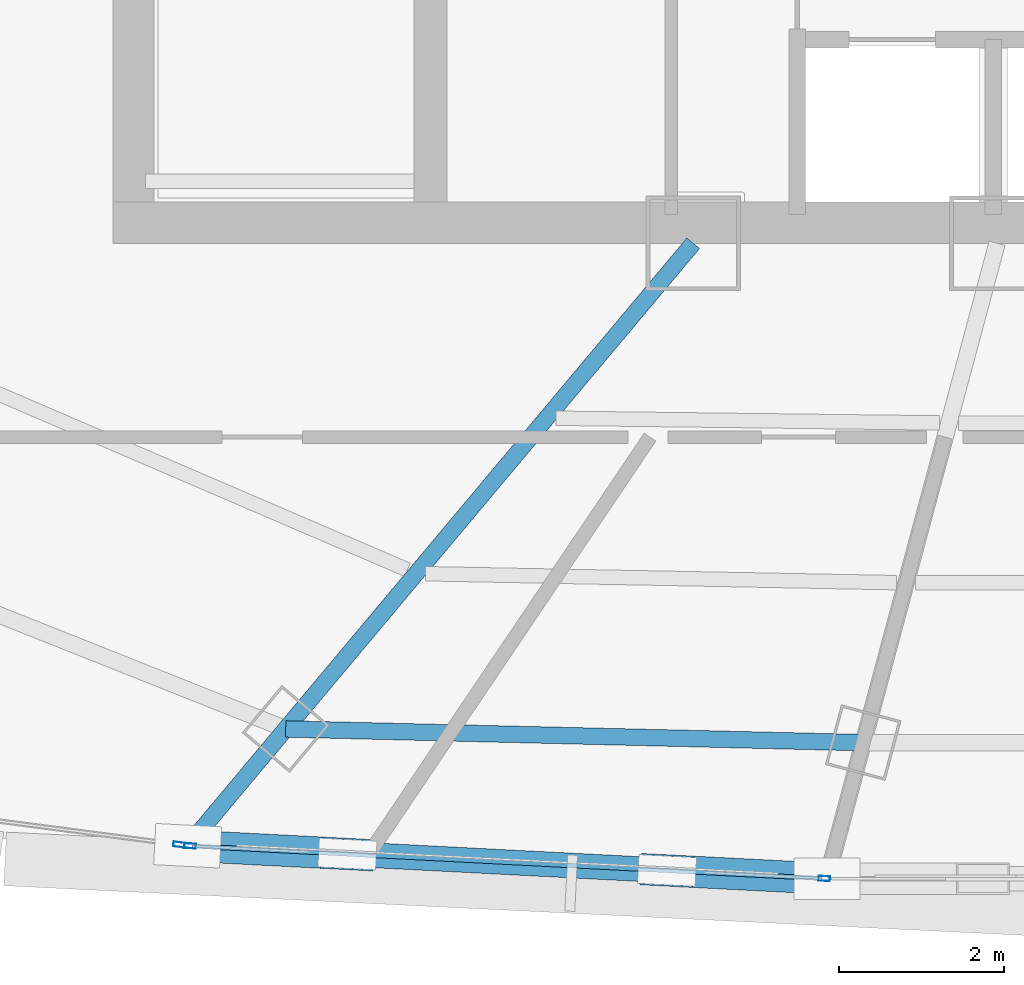
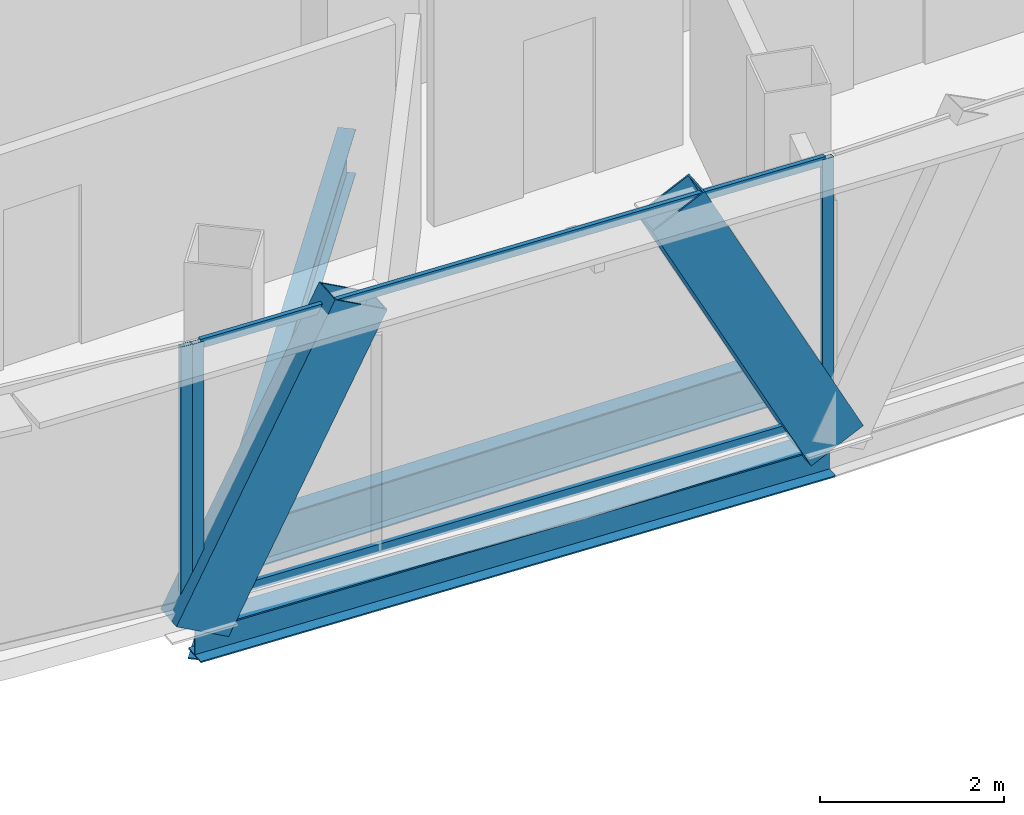
# One storey, part 6 of 35: 7 members, 3 beams, 2 elements without a shape of their own.
"""IFC4 building model written with IfcOpenShell, lengths in metres."""

from ifc_helpers import new_model, si_unit, direction, frame, origin, origin_2d, place, context, subcontext, project, spatial, hollow_rectangle, i_section, extrude, source, transform, mapped, material, layer, layer_set, material_profile, profile_set, type_object, element, aggregate, save


model = new_model("IFC4")

# Units and contexts
model_context = context("Model", 3, precision=1e-05, world=origin(), true_north=direction((0.0, 1.0)))
body_context = subcontext(model_context, "Body", "Model", "MODEL_VIEW")
ifc_project = project(units=[si_unit("LENGTHUNIT", "METRE"), si_unit("AREAUNIT", "SQUARE_METRE"), si_unit("VOLUMEUNIT", "CUBIC_METRE"), si_unit("PLANEANGLEUNIT", "RADIAN"), si_unit("MASSUNIT", "GRAM", prefix="KILO"), si_unit("THERMODYNAMICTEMPERATUREUNIT", "KELVIN"), si_unit("POWERUNIT", "WATT")], contexts=[model_context])

# Site, building, storey
site_placement = place(None, origin())
site = spatial("IfcSite", under=ifc_project, at=site_placement, CompositionType="ELEMENT")
building_placement = place(site_placement, origin())
building = spatial("IfcBuilding", under=site, at=building_placement, Name="Yunzhuo Pagoda Commons", CompositionType="ELEMENT")
storey_placement = place(building_placement, frame((0.0, 0.0, 303.669921875)))
storey = spatial("IfcBuildingStorey", under=building, at=storey_placement, Name="L76", CompositionType="ELEMENT", Elevation=303.669921875)

# Beams
ifc_material_1 = material(Name="Structural steel Q355B", Category="steel")
ifc_material_profile_1 = material_profile(ifc_material_1, i_section(OverallWidth=0.199951171875, OverallDepth=0.60009765625, WebThickness=0.010986328125, FlangeThickness=0.01708984375, at=origin_2d()), Name="Structural steel Q355B")
ifc_profile_set_1 = profile_set([ifc_material_profile_1], Name="Structural steel Q355B")
beam_type_1 = type_object("IfcBeamType", Name="B-RG3 Beam HN 600x200x11x17", PredefinedType="BEAM", material=ifc_profile_set_1)
shared_shape_1 = source(origin(), body_context, "Body", "SweptSolid", [
    extrude(i_section(OverallWidth=0.199951171875, OverallDepth=0.60009765625, WebThickness=0.010986328125, FlangeThickness=0.01708984375, at=origin_2d()), origin(), (0.0, 0.0, 1.0), 7.00439453125),
])
beam_1_placement = place(storey_placement, frame((37.64697265625, 21.361572265625, -0.559814453125), z_axis=(0.999719077883, -0.023701588905, 0.0), x_axis=(0.023701588905, 0.999719077883, 0.0)))
element("IfcBeam", 1, at=beam_1_placement, inside=storey, type_object=beam_type_1, Name="L76 column-ring beam 1", PredefinedType="BEAM", context=body_context, shape_type="MappedRepresentation", body=[
    mapped(shared_shape_1, transform((0.0, 0.0, 0.0), scale=1.0)),
])
shared_shape_2 = source(origin(), body_context, "Body", "SweptSolid", [
    extrude(i_section(OverallWidth=0.199951171875, OverallDepth=0.60009765625, WebThickness=0.010986328125, FlangeThickness=0.01708984375, at=origin_2d()), origin(), (0.0, 0.0, 1.0), 9.38037109375),
])
beam_2_placement = place(storey_placement, frame((36.558349609375, 20.064208984375, -0.559814453125), z_axis=(0.64278425807, 0.766047255447, 0.0), x_axis=(-0.766047255447, 0.64278425807, 0.0)))
element("IfcBeam", 2, at=beam_2_placement, inside=storey, type_object=beam_type_1, Name="L76 radial floor girder F1C1", PredefinedType="BEAM", context=body_context, shape_type="MappedRepresentation", body=[
    mapped(shared_shape_2, transform((0.0, 0.0, 0.0), scale=1.0)),
])
ifc_material_profile_2 = material_profile(ifc_material_1, i_section(OverallWidth=0.300048828125, OverallDepth=0.43994140625, WebThickness=0.010986328125, FlangeThickness=0.01806640625, at=origin_2d()), Name="Structural steel Q355B")
ifc_profile_set_2 = profile_set([ifc_material_profile_2], Name="Structural steel Q355B")
beam_type_2 = type_object("IfcBeamType", Name="B-SP2 Beam HM 440x300x11x18", PredefinedType="BEAM", material=ifc_profile_set_2)
shared_shape_3 = source(origin(), body_context, "Body", "SweptSolid", [
    extrude(i_section(OverallWidth=0.300048828125, OverallDepth=0.43994140625, WebThickness=0.010986328125, FlangeThickness=0.01806640625, at=origin_2d()), origin(), (0.0, 0.0, 1.0), 7.759521484375),
])
beam_3_placement = place(storey_placement, frame((36.45849609375, 19.945556640625, -0.47998046875), z_axis=(0.998672725225, -0.05150522199, 0.0), x_axis=(0.05150522199, 0.998672725225, 0.0)))
element("IfcBeam", 3, at=beam_3_placement, inside=storey, type_object=beam_type_2, Name="L76 facade edge spandrel beam F1.1", PredefinedType="BEAM", context=body_context, shape_type="MappedRepresentation", body=[
    mapped(shared_shape_3, transform((0.0, 0.0, 0.0), scale=1.0)),
])

# Members
ifc_material_profile_3 = material_profile(ifc_material_1, hollow_rectangle(XDim=0.3798828125, YDim=0.719970703125, WallThickness=0.02001953125, at=origin_2d()), Name="Structural steel Q355B")
ifc_profile_set_3 = profile_set([ifc_material_profile_3], Name="Structural steel Q355B")
member_type_1 = type_object("IfcMemberType", Name="M-DL3 Brace BOX 720x380x20", PredefinedType="BRACE", material=ifc_profile_set_3)
shared_shape_4 = source(origin(), body_context, "Body", "SweptSolid", [
    extrude(hollow_rectangle(XDim=0.3798828125, YDim=0.719970703125, WallThickness=0.02001953125, at=origin_2d()), origin(), (0.0, 0.0, 1.0), 4.204345703125),
])
for number, where, z_axis, x_axis, name in (
    (4, (36.45849609375, 19.945556640625, -0.260009765625), (0.460784915353, -0.023808672375, 0.887192430594), (0.051600981801, 0.998667781936, 0.0), "L76 facade diamond brace F1.1L"),
    (5, (44.207763671875, 19.5458984375, -0.260009765625), (-0.460831290203, 0.023749999709, 0.887169915791), (-0.051468990499, -0.998674593157, 0.0), "L76 facade diamond brace F1.1R"),
):
    element("IfcMember", number, at=place(storey_placement, frame(where, z_axis=z_axis, x_axis=x_axis)), inside=storey, type_object=member_type_1, Name=name, PredefinedType="BRACE", context=body_context, shape_type="MappedRepresentation", body=[
        mapped(shared_shape_4, transform((0.0, 0.0, 0.0), scale=1.0)),
    ])

# Curtain wall, members
ifc_material_2 = material(Name="Anodized aluminium 6063-T6", Category="aluminium")
ifc_layer = layer(ifc_material_2, 0.139892578125)
ifc_layer_set = layer_set([ifc_layer], Name="Anodized aluminium 6063-T6")
curtain_wall_type = type_object("IfcCurtainWallType", Name="CW-HI High-Zone Ribbon Curtain Wall", PredefinedType="NOTDEFINED", material=ifc_layer_set)
curtain_wall_1_placement = place(storey_placement, origin())
curtain_wall_1 = element("IfcCurtainWall", 6, at=curtain_wall_1_placement, inside=storey, type_object=curtain_wall_type, Name="L76 curtain wall CW-L76-F1B2", PredefinedType="NOTDEFINED")
ifc_material_profile_4 = material_profile(ifc_material_2, hollow_rectangle(XDim=0.06005859375, YDim=0.139892578125, WallThickness=0.00341796875, at=origin_2d()), Name="Anodized aluminium 6063-T6")
ifc_profile_set_4 = profile_set([ifc_material_profile_4], Name="Anodized aluminium 6063-T6")
member_type_2 = type_object("IfcMemberType", Name="CW-HI-M Mullion RHS 140x60x3.5", PredefinedType="MULLION", material=ifc_profile_set_4)
shared_shape_5 = source(origin(), body_context, "Body", "SweptSolid", [
    extrude(hollow_rectangle(XDim=0.06005859375, YDim=0.139892578125, WallThickness=0.00341796875, at=origin_2d()), origin(), (0.0, 0.0, 1.0), 3.469970703125),
])
member_1_placement = place(storey_placement, frame((36.488525390625, 19.94384765625, 0.0), z_axis=(0.0, 0.0, 1.0), x_axis=(0.051461616076, 0.998674973187, 0.0)))
member_1 = element("IfcMember", 7, at=member_1_placement, type_object=member_type_2, Name="CW mullion 1", PredefinedType="MULLION", context=body_context, shape_type="MappedRepresentation", body=[
    mapped(shared_shape_5, transform((0.0, 0.0, 0.0), scale=1.0)),
])
member_2_placement = place(storey_placement, frame((44.177490234375, 19.547607421875, 0.0), z_axis=(0.0, 0.0, 1.0), x_axis=(0.051461616076, 0.998674973187, 0.0)))
member_2 = element("IfcMember", 8, at=member_2_placement, type_object=member_type_2, Name="CW mullion 2", PredefinedType="MULLION", context=body_context, shape_type="MappedRepresentation", body=[
    mapped(shared_shape_5, transform((0.0, 0.0, 0.0), scale=1.0)),
])

# Curtain wall, member
curtain_wall_2_placement = place(storey_placement, origin())
curtain_wall_2 = element("IfcCurtainWall", 9, at=curtain_wall_2_placement, inside=storey, type_object=curtain_wall_type, Name="L76 curtain wall CW-L76-F1B1", PredefinedType="NOTDEFINED")
member_3_placement = place(storey_placement, frame((36.354248046875, 19.958984375, 0.0), z_axis=(0.0, 0.0, 1.0), x_axis=(0.129855071238, 0.991532985066, 0.0)))
member_3 = element("IfcMember", 10, at=member_3_placement, type_object=member_type_2, Name="CW mullion 2", PredefinedType="MULLION", context=body_context, shape_type="MappedRepresentation", body=[
    mapped(shared_shape_5, transform((0.0, 0.0, 0.0), scale=1.0)),
])
aggregate(curtain_wall_2, [member_3])

# Member
ifc_material_profile_5 = material_profile(ifc_material_2, hollow_rectangle(XDim=0.054931640625, YDim=0.1201171875, WallThickness=0.00341796875, at=origin_2d()), Name="Anodized aluminium 6063-T6")
ifc_profile_set_5 = profile_set([ifc_material_profile_5], Name="Anodized aluminium 6063-T6")
member_type_3 = type_object("IfcMemberType", Name="CW-HI-T Transom RHS 120x55x3.5", PredefinedType="USERDEFINED", material=ifc_profile_set_5)
shared_shape_6 = source(origin(), body_context, "Body", "SweptSolid", [
    extrude(hollow_rectangle(XDim=0.054931640625, YDim=0.1201171875, WallThickness=0.00341796875, at=origin_2d()), origin(), (0.0, 0.0, 1.0), 7.638916015625),
])
member_4_placement = place(storey_placement, frame((36.5185546875, 19.942138671875, 0.027587890625), z_axis=(0.998675311763, -0.051455045185, 0.0), x_axis=(0.051455045185, 0.998675311763, 0.0)))
member_4 = element("IfcMember", 11, at=member_4_placement, type_object=member_type_3, Name="CW transom 1.1", ObjectType="TRANSOM", PredefinedType="USERDEFINED", context=body_context, shape_type="MappedRepresentation", body=[
    mapped(shared_shape_6, transform((0.0, 0.0, 0.0), scale=1.0)),
])

member_5_placement = place(storey_placement, frame((36.5185546875, 19.942138671875, 3.442626953125), z_axis=(0.998675311763, -0.051455045185, 0.0), x_axis=(0.051455045185, 0.998675311763, 0.0)))
member_5 = element("IfcMember", 12, at=member_5_placement, type_object=member_type_3, Name="CW transom 1.2", ObjectType="TRANSOM", PredefinedType="USERDEFINED", context=body_context, shape_type="MappedRepresentation", body=[
    mapped(shared_shape_6, transform((0.0, 0.0, 0.0), scale=1.0)),
])

aggregate(curtain_wall_1, [member_1, member_2, member_4, member_5])

save(model, "model.ifc")
